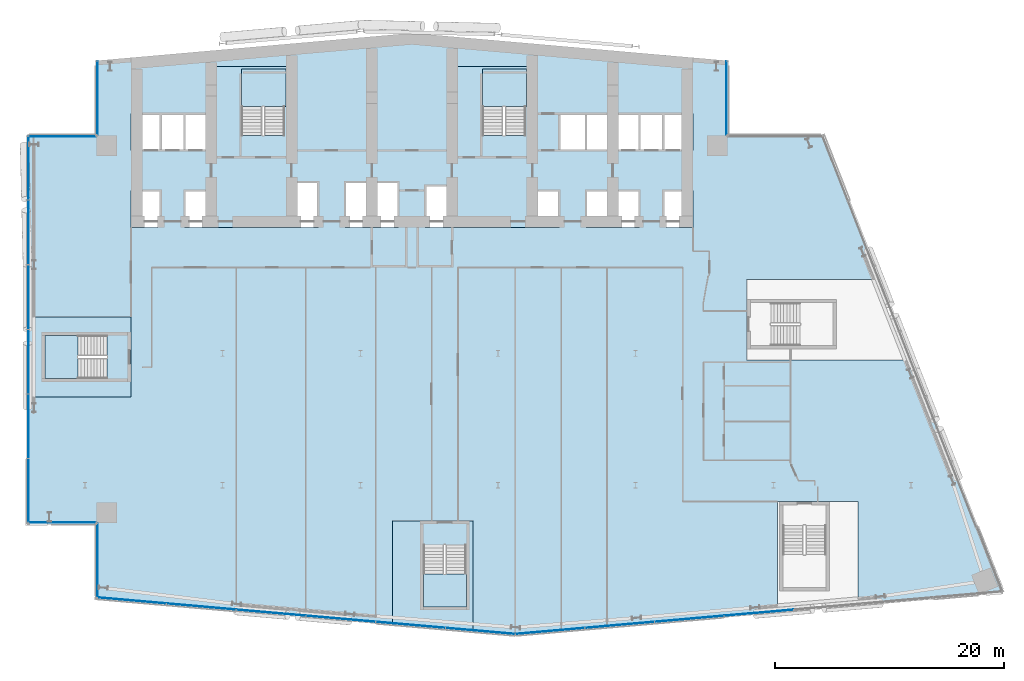
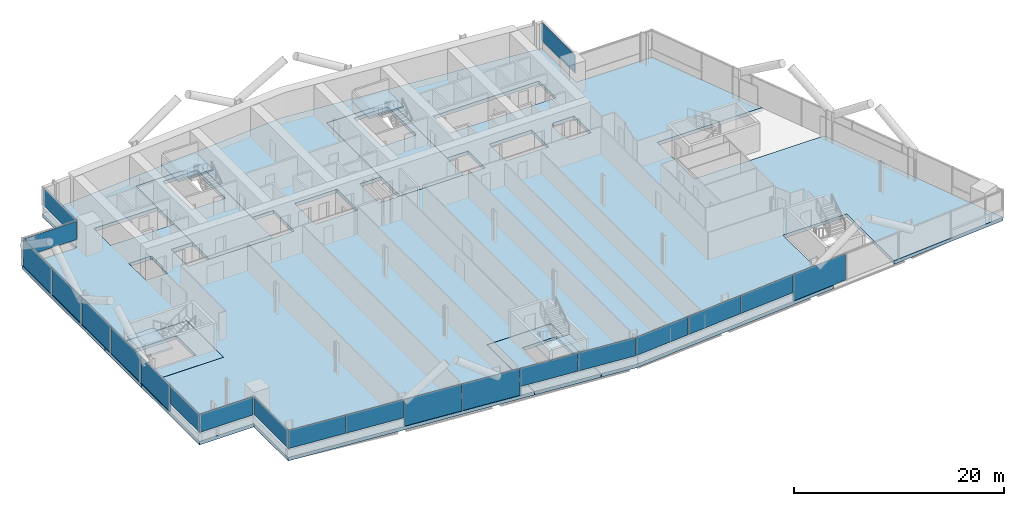
# One storey, part 12 of 25: 21 plates, 9 slabs, 12 elements without a shape of their own.
"""IFC4 building model written with IfcOpenShell, lengths in metres."""

from ifc_helpers import new_model, si_unit, direction, frame, origin, origin_2d, place, context, subcontext, project, spatial, polyline, rectangle, outline, extrude, material, layer, layer_set, type_object, element, aggregate, save


model = new_model("IFC4")

# Units and contexts
model_context = context("Model", 3, precision=1e-05, world=origin(), true_north=direction((0.0, 1.0)))
body_context = subcontext(model_context, "Body", "Model", "MODEL_VIEW")
ifc_project = project(units=[si_unit("LENGTHUNIT", "METRE"), si_unit("AREAUNIT", "SQUARE_METRE"), si_unit("VOLUMEUNIT", "CUBIC_METRE"), si_unit("PLANEANGLEUNIT", "RADIAN"), si_unit("MASSUNIT", "GRAM", prefix="KILO")], contexts=[model_context])

# Site, building, storey
site_placement = place(None, origin())
site = spatial("IfcSite", under=ifc_project, at=site_placement, CompositionType="ELEMENT")
building_placement = place(site_placement, origin())
building = spatial("IfcBuilding", under=site, at=building_placement, Name="Wharfspan Tower", CompositionType="ELEMENT")
storey_placement = place(building_placement, frame((0.0, 0.0, 121.899902)))
storey = spatial("IfcBuildingStorey", under=building, at=storey_placement, Name="L28", CompositionType="ELEMENT", Elevation=121.899902)

# Curtain wall, plates
ifc_material_1 = material(Name="Aluminium 6063-T6", Category="aluminium")
curtain_wall_type_1 = type_object("IfcCurtainWallType", Name="CURTAIN WALL FACETED FRONT", PredefinedType="NOTDEFINED", material=ifc_material_1)
curtain_wall_1_placement = place(storey_placement, origin())
curtain_wall_1 = element("IfcCurtainWall", 1, at=curtain_wall_1_placement, inside=storey, type_object=curtain_wall_type_1, Name="Curtain wall S1", PredefinedType="NOTDEFINED")
ifc_material_2 = material(Name="Glass clear low-iron double glazing", Category="glass")
ifc_layer_1 = layer(ifc_material_2, 0.040039)
ifc_layer_set_1 = layer_set([ifc_layer_1], Name="Glass clear low-iron double glazing")
plate_type_1 = type_object("IfcPlateType", Name="GLASS PANEL FACETED FRONT 40", PredefinedType="CURTAIN_PANEL", material=ifc_layer_set_1)
plate_1_placement = place(storey_placement, frame((16.061768, 1.467529, 1.0), z_axis=(0.0, 0.0, 1.0), x_axis=(0.996198, -0.087156, 0.0)))
plate_1 = element("IfcPlate", 2, at=plate_1_placement, type_object=plate_type_1, Name="Curtain wall S1 panel 1", PredefinedType="CURTAIN_PANEL", context=body_context, shape_type="SweptSolid", body=[
    extrude(rectangle(XDim=6.016602, YDim=0.040039, at=origin_2d()), origin(), (0.0, 0.0, 1.0), 2.120117),
])
plate_2_placement = place(storey_placement, frame((22.130127, 0.936523, 1.0), z_axis=(0.0, 0.0, 1.0), x_axis=(0.996198, -0.087156, 0.0)))
plate_2 = element("IfcPlate", 3, at=plate_2_placement, type_object=plate_type_1, Name="Curtain wall S1 panel 2", PredefinedType="CURTAIN_PANEL", context=body_context, shape_type="SweptSolid", body=[
    extrude(rectangle(XDim=6.046631, YDim=0.040039, at=origin_2d()), origin(), (0.0, 0.0, 1.0), 2.120117),
])
plate_3_placement = place(storey_placement, frame((40.380127, -0.660156, 1.0), z_axis=(0.0, 0.0, 1.0), x_axis=(0.996198, -0.087156, 0.0)))
plate_3 = element("IfcPlate", 4, at=plate_3_placement, type_object=plate_type_1, Name="Curtain wall S1 panel 5", PredefinedType="CURTAIN_PANEL", context=body_context, shape_type="SweptSolid", body=[
    extrude(rectangle(XDim=6.046631, YDim=0.040039, at=origin_2d()), origin(), (0.0, 0.0, 1.0), 2.120117),
])
plate_4_placement = place(storey_placement, frame((46.44873, -1.191162, 1.0), z_axis=(0.0, 0.0, 1.0), x_axis=(0.996198, -0.087156, 0.0)))
plate_4 = element("IfcPlate", 5, at=plate_4_placement, type_object=plate_type_1, Name="Curtain wall S1 panel 6", PredefinedType="CURTAIN_PANEL", context=body_context, shape_type="SweptSolid", body=[
    extrude(rectangle(XDim=6.016602, YDim=0.040039, at=origin_2d()), origin(), (0.0, 0.0, 1.0), 2.120117),
])

curtain_wall_2_placement = place(storey_placement, origin())
curtain_wall_2 = element("IfcCurtainWall", 6, at=curtain_wall_2_placement, inside=storey, type_object=curtain_wall_type_1, Name="Curtain wall S2", PredefinedType="NOTDEFINED")
plate_5_placement = place(storey_placement, frame((52.54541, -1.19165, 1.0), z_axis=(0.0, 0.0, 1.0), x_axis=(0.996198, 0.087156, 0.0)))
plate_5 = element("IfcPlate", 7, at=plate_5_placement, type_object=plate_type_1, Name="Curtain wall S2 panel 1", PredefinedType="CURTAIN_PANEL", context=body_context, shape_type="SweptSolid", body=[
    extrude(rectangle(XDim=6.004639, YDim=0.040039, at=origin_2d()), origin(), (0.0, 0.0, 1.0), 2.120117),
])
plate_6_placement = place(storey_placement, frame((58.601807, -0.661621, 1.0), z_axis=(0.0, 0.0, 1.0), x_axis=(0.996198, 0.087156, 0.0)))
plate_6 = element("IfcPlate", 8, at=plate_6_placement, type_object=plate_type_1, Name="Curtain wall S2 panel 2", PredefinedType="CURTAIN_PANEL", context=body_context, shape_type="SweptSolid", body=[
    extrude(rectangle(XDim=6.034668, YDim=0.040039, at=origin_2d()), origin(), (0.0, 0.0, 1.0), 2.120117),
])
plate_7_placement = place(storey_placement, frame((64.67334, -0.130615, 1.0), z_axis=(0.0, 0.0, 1.0), x_axis=(0.996198, 0.087156, 0.0)))
plate_7 = element("IfcPlate", 9, at=plate_7_placement, type_object=plate_type_1, Name="Curtain wall S2 panel 3", PredefinedType="CURTAIN_PANEL", context=body_context, shape_type="SweptSolid", body=[
    extrude(rectangle(XDim=6.034668, YDim=0.040039, at=origin_2d()), origin(), (0.0, 0.0, 1.0), 2.120117),
])

# Curtain wall, plate
curtain_wall_type_2 = type_object("IfcCurtainWallType", Name="CURTAIN WALL PROW AND END", PredefinedType="NOTDEFINED", material=ifc_material_1)
curtain_wall_3_placement = place(storey_placement, origin())
curtain_wall_3 = element("IfcCurtainWall", 10, at=curtain_wall_3_placement, inside=storey, type_object=curtain_wall_type_2, Name="Curtain wall NRE-V", PredefinedType="NOTDEFINED")
ifc_layer_2 = layer(ifc_material_2, 0.040039)
ifc_layer_set_2 = layer_set([ifc_layer_2], Name="Glass clear low-iron double glazing")
plate_type_2 = type_object("IfcPlateType", Name="GLASS PANEL PROW AND END 40", PredefinedType="CURTAIN_PANEL", material=ifc_layer_set_2)
plate_8_placement = place(storey_placement, frame((67.919922, 45.262451, 1.0), z_axis=(0.0, 0.0, 1.0), x_axis=(0.0, 1.0, 0.0)))
plate_8 = element("IfcPlate", 11, at=plate_8_placement, type_object=plate_type_2, Name="Curtain wall NRE-V panel 1", PredefinedType="CURTAIN_PANEL", context=body_context, shape_type="SweptSolid", body=[
    extrude(rectangle(XDim=6.405029, YDim=0.040039, at=origin_2d()), origin(), (0.0, 0.0, 1.0), 2.120117),
])
aggregate(curtain_wall_3, [plate_8])

curtain_wall_4_placement = place(storey_placement, origin())
curtain_wall_4 = element("IfcCurtainWall", 12, at=curtain_wall_4_placement, inside=storey, type_object=curtain_wall_type_2, Name="Curtain wall NRW-V", PredefinedType="NOTDEFINED")
plate_9_placement = place(storey_placement, frame((13.080078, 45.262451, 1.0), z_axis=(0.0, 0.0, 1.0), x_axis=(0.0, -1.0, 0.0)))
plate_9 = element("IfcPlate", 13, at=plate_9_placement, type_object=plate_type_2, Name="Curtain wall NRW-V panel 1", PredefinedType="CURTAIN_PANEL", context=body_context, shape_type="SweptSolid", body=[
    extrude(rectangle(XDim=6.405029, YDim=0.040039, at=origin_2d()), origin(), (0.0, 0.0, 1.0), 2.120117),
])
aggregate(curtain_wall_4, [plate_9])

curtain_wall_5_placement = place(storey_placement, origin())
curtain_wall_5 = element("IfcCurtainWall", 14, at=curtain_wall_5_placement, inside=storey, type_object=curtain_wall_type_2, Name="Curtain wall NRW-H", PredefinedType="NOTDEFINED")
plate_10_placement = place(storey_placement, frame((10.0, 41.919922, 1.0), z_axis=(0.0, 0.0, 1.0), x_axis=(-1.0, 0.0, 0.0)))
plate_10 = element("IfcPlate", 15, at=plate_10_placement, type_object=plate_type_2, Name="Curtain wall NRW-H panel 1", PredefinedType="CURTAIN_PANEL", context=body_context, shape_type="SweptSolid", body=[
    extrude(rectangle(XDim=5.879883, YDim=0.040039, at=origin_2d()), origin(), (0.0, 0.0, 1.0), 2.120117),
])
aggregate(curtain_wall_5, [plate_10])

curtain_wall_6_placement = place(storey_placement, origin())
curtain_wall_6 = element("IfcCurtainWall", 16, at=curtain_wall_6_placement, inside=storey, type_object=curtain_wall_type_2, Name="Curtain wall W", PredefinedType="NOTDEFINED")
plate_11_placement = place(storey_placement, frame((7.080078, 11.031738, 1.0), z_axis=(0.0, 0.0, 1.0), x_axis=(0.0, -1.0, 0.0)))
plate_11 = element("IfcPlate", 17, at=plate_11_placement, type_object=plate_type_2, Name="Curtain wall W panel 6", PredefinedType="CURTAIN_PANEL", context=body_context, shape_type="SweptSolid", body=[
    extrude(rectangle(XDim=5.543213, YDim=0.040039, at=origin_2d()), origin(), (0.0, 0.0, 1.0), 2.120117),
])

curtain_wall_7_placement = place(storey_placement, origin())
curtain_wall_7 = element("IfcCurtainWall", 18, at=curtain_wall_7_placement, inside=storey, type_object=curtain_wall_type_2, Name="Curtain wall NFW-H", PredefinedType="NOTDEFINED")
plate_12_placement = place(storey_placement, frame((10.0, 8.280029, 1.0), z_axis=(0.0, 0.0, 1.0), x_axis=(1.0, 0.0, 0.0)))
plate_12 = element("IfcPlate", 19, at=plate_12_placement, type_object=plate_type_2, Name="Curtain wall NFW-H panel 1", PredefinedType="CURTAIN_PANEL", context=body_context, shape_type="SweptSolid", body=[
    extrude(rectangle(XDim=5.879883, YDim=0.040039, at=origin_2d()), origin(), (0.0, 0.0, 1.0), 2.120117),
])
aggregate(curtain_wall_7, [plate_12])

curtain_wall_8_placement = place(storey_placement, origin())
curtain_wall_8 = element("IfcCurtainWall", 20, at=curtain_wall_8_placement, inside=storey, type_object=curtain_wall_type_2, Name="Curtain wall NFW-V", PredefinedType="NOTDEFINED")
plate_13_placement = place(storey_placement, frame((13.080078, 4.9375, 1.0), z_axis=(0.0, 0.0, 1.0), x_axis=(0.0, -1.0, 0.0)))
plate_13 = element("IfcPlate", 21, at=plate_13_placement, type_object=plate_type_2, Name="Curtain wall NFW-V panel 1", PredefinedType="CURTAIN_PANEL", context=body_context, shape_type="SweptSolid", body=[
    extrude(rectangle(XDim=6.405029, YDim=0.040039, at=origin_2d()), origin(), (0.0, 0.0, 1.0), 2.120117),
])
aggregate(curtain_wall_8, [plate_13])

# Plate
ifc_material_3 = material(Name="Aluminium composite opaque insulated panel", Category="aluminium")
ifc_layer_3 = layer(ifc_material_3, 0.040039)
ifc_layer_set_3 = layer_set([ifc_layer_3], Name="Aluminium composite opaque insulated panel")
plate_type_3 = type_object("IfcPlateType", Name="INFILL PANEL FACETED FRONT OPAQUE 40", PredefinedType="SHEET", material=ifc_layer_set_3)
plate_14_placement = place(storey_placement, frame((28.213623, 0.404297, 0.0), z_axis=(0.0, 0.0, 1.0), x_axis=(0.996198, -0.087156, 0.0)))
plate_14 = element("IfcPlate", 22, at=plate_14_placement, type_object=plate_type_3, Name="Curtain wall S1 panel 3", PredefinedType="SHEET", context=body_context, shape_type="SweptSolid", body=[
    extrude(rectangle(XDim=6.046631, YDim=0.040039, at=origin_2d()), origin(), (0.0, 0.0, 1.0), 3.120117),
])

plate_15_placement = place(storey_placement, frame((34.296875, -0.12793, 0.0), z_axis=(0.0, 0.0, 1.0), x_axis=(0.996198, -0.087156, 0.0)))
plate_15 = element("IfcPlate", 23, at=plate_15_placement, type_object=plate_type_3, Name="Curtain wall S1 panel 4", PredefinedType="SHEET", context=body_context, shape_type="SweptSolid", body=[
    extrude(rectangle(XDim=6.046631, YDim=0.040039, at=origin_2d()), origin(), (0.0, 0.0, 1.0), 3.120117),
])

aggregate(curtain_wall_1, [plate_1, plate_2, plate_14, plate_15, plate_3, plate_4])

plate_16_placement = place(storey_placement, frame((70.744873, 0.400635, 0.0), z_axis=(0.0, 0.0, 1.0), x_axis=(0.996198, 0.087156, 0.0)))
plate_16 = element("IfcPlate", 24, at=plate_16_placement, type_object=plate_type_3, Name="Curtain wall S2 panel 4", PredefinedType="SHEET", context=body_context, shape_type="SweptSolid", body=[
    extrude(rectangle(XDim=6.034668, YDim=0.040039, at=origin_2d()), origin(), (0.0, 0.0, 1.0), 3.120117),
])

aggregate(curtain_wall_2, [plate_5, plate_6, plate_7, plate_16])

ifc_layer_4 = layer(ifc_material_3, 0.040039)
ifc_layer_set_4 = layer_set([ifc_layer_4], Name="Aluminium composite opaque insulated panel")
plate_type_4 = type_object("IfcPlateType", Name="INFILL PANEL PROW AND END OPAQUE 40", PredefinedType="SHEET", material=ifc_layer_set_4)
plate_17_placement = place(storey_placement, frame((7.080078, 39.168213, 0.0), z_axis=(0.0, 0.0, 1.0), x_axis=(0.0, -1.0, 0.0)))
plate_17 = element("IfcPlate", 25, at=plate_17_placement, type_object=plate_type_4, Name="Curtain wall W panel 1", PredefinedType="SHEET", context=body_context, shape_type="SweptSolid", body=[
    extrude(rectangle(XDim=5.543213, YDim=0.040039, at=origin_2d()), origin(), (0.0, 0.0, 1.0), 3.120117),
])

plate_18_placement = place(storey_placement, frame((7.080078, 33.550049, 0.0), z_axis=(0.0, 0.0, 1.0), x_axis=(0.0, -1.0, 0.0)))
plate_18 = element("IfcPlate", 26, at=plate_18_placement, type_object=plate_type_4, Name="Curtain wall W panel 2", PredefinedType="SHEET", context=body_context, shape_type="SweptSolid", body=[
    extrude(rectangle(XDim=5.573242, YDim=0.040039, at=origin_2d()), origin(), (0.0, 0.0, 1.0), 3.120117),
])

plate_19_placement = place(storey_placement, frame((7.080078, 27.916748, 0.0), z_axis=(0.0, 0.0, 1.0), x_axis=(0.0, -1.0, 0.0)))
plate_19 = element("IfcPlate", 27, at=plate_19_placement, type_object=plate_type_4, Name="Curtain wall W panel 3", PredefinedType="SHEET", context=body_context, shape_type="SweptSolid", body=[
    extrude(rectangle(XDim=5.573242, YDim=0.040039, at=origin_2d()), origin(), (0.0, 0.0, 1.0), 3.120117),
])

plate_20_placement = place(storey_placement, frame((7.080078, 22.283447, 0.0), z_axis=(0.0, 0.0, 1.0), x_axis=(0.0, -1.0, 0.0)))
plate_20 = element("IfcPlate", 28, at=plate_20_placement, type_object=plate_type_4, Name="Curtain wall W panel 4", PredefinedType="SHEET", context=body_context, shape_type="SweptSolid", body=[
    extrude(rectangle(XDim=5.573242, YDim=0.040039, at=origin_2d()), origin(), (0.0, 0.0, 1.0), 3.120117),
])

plate_21_placement = place(storey_placement, frame((7.080078, 16.649902, 0.0), z_axis=(0.0, 0.0, 1.0), x_axis=(0.0, -1.0, 0.0)))
plate_21 = element("IfcPlate", 29, at=plate_21_placement, type_object=plate_type_4, Name="Curtain wall W panel 5", PredefinedType="SHEET", context=body_context, shape_type="SweptSolid", body=[
    extrude(rectangle(XDim=5.573242, YDim=0.040039, at=origin_2d()), origin(), (0.0, 0.0, 1.0), 3.120117),
])

aggregate(curtain_wall_6, [plate_17, plate_18, plate_19, plate_20, plate_21, plate_11])

# Slabs
ifc_material_4 = material(Name="Concrete C40/50", Category="concrete")
ifc_layer_5 = layer(ifc_material_4, 0.399902)
ifc_layer_set_5 = layer_set([ifc_layer_5], Name="Concrete C40/50")
slab_type_1 = type_object("IfcSlabType", Name="Post-tensioned flat slab 400", PredefinedType="FLOOR", material=ifc_layer_set_5)
slab_1_placement = place(storey_placement, frame((0.0, 0.0, -0.400146)))
element("IfcSlab", 30, at=slab_1_placement, inside=storey, type_object=slab_type_1, Name="Floor slab L28", PredefinedType="FLOOR", context=body_context, shape_type="SweptSolid", body=[
    extrude(outline(polyline([(38.800293, -0.582275), (38.800293, 8.427002), (45.820312, 8.427002), (45.820312, -1.196289), (49.5, -1.518311), (72.355957, 0.481445), (72.355957, 10.104736), (79.375977, 10.104736), (79.375977, 1.095459), (92.0, 2.199951), (84.04541, 22.439941), (69.68042, 22.439941), (69.68042, 29.459961), (81.286621, 29.459961), (76.358154, 42.0), (68.0, 42.0), (68.0, 48.524902), (40.5, 50.930908), (13.0, 48.524902), (13.0, 42.0), (7.0, 42.0), (7.0, 26.209961), (16.01001, 26.209961), (16.01001, 19.189941), (7.0, 19.189941), (7.0, 8.199951), (13.0, 8.199951), (13.0, 1.675049), (38.800293, -0.582275)]), holes=[polyline([(62.48999, 35.389893), (62.36499, 35.389893), (62.36499, 36.909912), (62.48999, 36.909912), (62.48999, 37.110107), (62.656738, 37.110107), (62.656738, 37.209961), (65.01001, 37.209961), (65.01001, 33.98999), (62.656738, 33.98999), (62.656738, 34.98999), (62.48999, 34.98999), (62.48999, 35.389893)]), polyline([(65.01001, 43.909912), (65.01001, 40.689941), (53.323242, 40.689941), (53.323242, 43.909912), (65.01001, 43.909912)]), polyline([(55.656738, 33.98999), (55.656738, 37.209961), (60.343262, 37.209961), (60.343262, 33.98999), (55.656738, 33.98999)]), polyline([(43.98999, 37.659912), (43.98999, 48.01001), (51.01001, 48.01001), (51.01001, 37.209961), (53.343262, 37.209961), (53.343262, 33.98999), (41.656738, 33.98999), (41.656738, 37.659912), (43.98999, 37.659912)]), polyline([(34.656738, 33.98999), (34.656738, 37.959961), (39.343262, 37.959961), (39.343262, 33.98999), (34.656738, 33.98999)]), polyline([(20.656738, 37.209961), (22.98999, 37.209961), (22.98999, 40.689941), (20.676758, 40.689941), (20.656738, 40.689941), (15.98999, 40.689941), (15.98999, 43.909912), (20.656738, 43.909912), (20.676758, 43.909912), (22.98999, 43.909912), (22.98999, 48.01001), (30.01001, 48.01001), (30.01001, 37.959961), (32.343262, 37.959961), (32.343262, 33.98999), (20.656738, 33.98999), (20.656738, 37.209961)]), polyline([(18.51001, 34.98999), (18.343262, 34.98999), (18.343262, 33.98999), (15.98999, 33.98999), (15.98999, 37.209961), (18.343262, 37.209961), (18.343262, 37.110107), (18.51001, 37.110107), (18.51001, 34.98999)])]), origin(), (0.0, 0.0, 1.0), 0.400146),
])
slab_2_placement = place(storey_placement, frame((0.0, 0.0, -0.400146)))
element("IfcSlab", 31, at=slab_2_placement, inside=storey, type_object=slab_type_1, Name="Core floor slab L28 part 1", PredefinedType="FLOOR", context=body_context, shape_type="SweptSolid", body=[
    extrude(outline(polyline([(16.0, 20.524902), (16.0, 24.875), (16.0, 26.199951), (7.0, 26.199951), (7.0, 19.199951), (16.0, 19.199951), (16.0, 20.524902)]), holes=[polyline([(13.9021, 20.824951), (13.9021, 20.824707), (13.9021, 20.824707), (13.901855, 20.824463), (13.901855, 20.824219), (13.901855, 20.824219), (13.901611, 20.823975), (13.901611, 20.82373), (13.901367, 20.823486), (13.901367, 20.823486), (13.901123, 20.823242), (13.900879, 20.823242), (13.900879, 20.823242), (13.900635, 20.822998), (13.900391, 20.822998), (13.900146, 20.822998), (13.899902, 20.822998), (8.5, 20.822998), (8.499756, 20.822998), (8.499512, 20.822998), (8.499512, 20.822998), (8.499268, 20.823242), (8.499023, 20.823242), (8.498779, 20.823242), (8.498779, 20.823486), (8.498535, 20.823486), (8.498535, 20.82373), (8.498291, 20.823975), (8.498291, 20.824219), (8.498291, 20.824219), (8.498047, 20.824463), (8.498047, 20.824707), (8.498047, 20.824707), (8.498047, 20.824951), (8.498047, 24.574951), (8.498047, 24.575195), (8.498047, 24.575439), (8.498047, 24.575684), (8.498291, 24.575684), (8.498291, 24.575928), (8.498291, 24.576172), (8.498535, 24.576416), (8.498535, 24.576416), (8.498779, 24.576416), (8.498779, 24.57666), (8.499023, 24.576904), (8.499268, 24.576904), (8.499512, 24.576904), (8.499512, 24.576904), (8.499756, 24.576904), (8.5, 24.576904), (13.899902, 24.576904), (13.900146, 24.576904), (13.900391, 24.576904), (13.900635, 24.576904), (13.900879, 24.576904), (13.900879, 24.576904), (13.901123, 24.57666), (13.901367, 24.576416), (13.901367, 24.576416), (13.901611, 24.576416), (13.901611, 24.576172), (13.901855, 24.575928), (13.901855, 24.575684), (13.901855, 24.575684), (13.9021, 24.575439), (13.9021, 24.575195), (13.9021, 24.574951), (13.9021, 20.824951)])]), origin(), (0.0, 0.0, 1.0), 0.400146),
])
slab_3_placement = place(storey_placement, frame((0.0, 0.0, -0.400146)))
element("IfcSlab", 32, at=slab_3_placement, inside=storey, type_object=slab_type_1, Name="Core floor slab L28 part 2", PredefinedType="FLOOR", context=body_context, shape_type="SweptSolid", body=[
    extrude(outline(polyline([(20.664795, 34.0), (20.664795, 37.199951), (20.664795, 37.200195), (20.664795, 37.200439), (20.664795, 37.200684), (20.664795, 37.200684), (20.664795, 37.200928), (20.665039, 37.201172), (20.665039, 37.201416), (20.665283, 37.201416), (20.665283, 37.201416), (20.665527, 37.20166), (20.665771, 37.201904), (20.666016, 37.201904), (20.666016, 37.201904), (20.66626, 37.201904), (20.666504, 37.201904), (20.666748, 37.201904), (23.0, 37.201904), (23.000244, 37.201904), (23.000488, 37.201904), (23.000488, 37.201904), (23.000732, 37.201904), (23.000977, 37.201904), (23.001221, 37.20166), (23.001221, 37.201416), (23.001465, 37.201416), (23.001465, 37.201416), (23.001709, 37.201172), (23.001709, 37.200928), (23.001709, 37.200684), (23.001953, 37.200684), (23.001953, 37.200439), (23.001953, 37.200195), (23.001953, 37.199951), (23.001953, 34.0), (29.998047, 34.0), (29.998047, 37.949951), (29.998047, 37.950195), (29.998047, 37.950439), (29.998047, 37.950684), (29.998291, 37.950684), (29.998291, 37.950928), (29.998291, 37.951172), (29.998535, 37.951416), (29.998535, 37.951416), (29.998779, 37.951416), (29.998779, 37.95166), (29.999023, 37.951904), (29.999268, 37.951904), (29.999512, 37.951904), (29.999512, 37.951904), (29.999756, 37.951904), (30.0, 37.951904), (32.333252, 37.951904), (32.333496, 37.951904), (32.33374, 37.951904), (32.333984, 37.951904), (32.333984, 37.951904), (32.334229, 37.951904), (32.334473, 37.95166), (32.334717, 37.951416), (32.334717, 37.951416), (32.334961, 37.951416), (32.334961, 37.951172), (32.335205, 37.950928), (32.335205, 37.950684), (32.335205, 37.950684), (32.335205, 37.950439), (32.335205, 37.950195), (32.335205, 37.949951), (32.335205, 34.0), (32.341309, 34.0), (32.341309, 37.958008), (30.01001, 37.958008), (30.009766, 37.958008), (30.009521, 37.958008), (30.009521, 37.958008), (30.009277, 37.958252), (30.009033, 37.958252), (30.008789, 37.958252), (30.008789, 37.958496), (30.008545, 37.958496), (30.008545, 37.95874), (30.008301, 37.958984), (30.008301, 37.958984), (30.008301, 37.959229), (30.008057, 37.959473), (30.008057, 37.959717), (30.008057, 37.959717), (30.008057, 37.959961), (30.008057, 48.008057), (22.991943, 48.008057), (22.991943, 43.909912), (22.991943, 43.909912), (22.991943, 43.909668), (22.991943, 43.909424), (22.991699, 43.90918), (22.991699, 43.90918), (22.991699, 43.908936), (22.991455, 43.908691), (22.991455, 43.908691), (22.991211, 43.908447), (22.991211, 43.908203), (22.990967, 43.908203), (22.990723, 43.908203), (22.990479, 43.908203), (22.990479, 43.907959), (22.990234, 43.907959), (22.98999, 43.907959), (16.0, 43.907959), (16.0, 43.9021), (20.666748, 43.9021), (20.666748, 43.9021), (23.0, 43.9021), (23.000244, 43.9021), (23.000488, 43.9021), (23.000488, 43.901855), (23.000732, 43.901855), (23.000977, 43.901855), (23.001221, 43.901611), (23.001221, 43.901611), (23.001465, 43.901367), (23.001465, 43.901367), (23.001709, 43.901123), (23.001709, 43.900879), (23.001709, 43.900879), (23.001953, 43.900635), (23.001953, 43.900391), (23.001953, 43.900146), (23.001953, 43.899902), (23.001953, 40.699951), (23.001953, 40.699707), (23.001953, 40.699707), (23.001953, 40.699463), (23.001709, 40.699219), (23.001709, 40.699219), (23.001709, 40.698975), (23.001465, 40.69873), (23.001465, 40.698486), (23.001221, 40.698486), (23.001221, 40.698242), (23.000977, 40.698242), (23.000732, 40.698242), (23.000488, 40.697998), (23.000488, 40.697998), (23.000244, 40.697998), (23.0, 40.697998), (20.666748, 40.697998), (20.666748, 40.697998), (16.0, 40.697998), (16.0, 40.691895), (22.98999, 40.691895), (22.990234, 40.691895), (22.990479, 40.691895), (22.990479, 40.691895), (22.990723, 40.691895), (22.990967, 40.691895), (22.991211, 40.69165), (22.991211, 40.691406), (22.991455, 40.691406), (22.991455, 40.691406), (22.991699, 40.691162), (22.991699, 40.690918), (22.991699, 40.690918), (22.991943, 40.690674), (22.991943, 40.69043), (22.991943, 40.690186), (22.991943, 40.689941), (22.991943, 37.209961), (22.991943, 37.209717), (22.991943, 37.209717), (22.991943, 37.209473), (22.991699, 37.209229), (22.991699, 37.208984), (22.991699, 37.208984), (22.991455, 37.20874), (22.991455, 37.208496), (22.991211, 37.208496), (22.991211, 37.208252), (22.990967, 37.208252), (22.990723, 37.208252), (22.990479, 37.208008), (22.990479, 37.208008), (22.990234, 37.208008), (22.98999, 37.208008), (20.658691, 37.208008), (20.658691, 34.0), (20.664795, 34.0)]), holes=[polyline([(25.649902, 41.998047), (25.649902, 41.998047), (25.649658, 41.998047), (25.649414, 41.998047), (25.64917, 41.998291), (25.64917, 41.998291), (25.648926, 41.998291), (25.648682, 41.998535), (25.648682, 41.998535), (25.648438, 41.998779), (25.648193, 41.998779), (25.648193, 41.999023), (25.648193, 41.999268), (25.648193, 41.999512), (25.647949, 41.999512), (25.647949, 41.999756), (25.647949, 42.0), (25.647949, 47.399902), (25.647949, 47.400146), (25.647949, 47.400391), (25.648193, 47.400635), (25.648193, 47.400879), (25.648193, 47.400879), (25.648193, 47.401123), (25.648438, 47.401367), (25.648682, 47.401367), (25.648682, 47.401611), (25.648926, 47.401611), (25.64917, 47.401855), (25.64917, 47.401855), (25.649414, 47.401855), (25.649658, 47.4021), (25.649902, 47.4021), (25.649902, 47.4021), (29.399902, 47.4021), (29.400146, 47.4021), (29.400391, 47.4021), (29.400635, 47.401855), (29.400879, 47.401855), (29.400879, 47.401855), (29.401123, 47.401611), (29.401367, 47.401611), (29.401367, 47.401367), (29.401611, 47.401367), (29.401611, 47.401123), (29.401855, 47.400879), (29.401855, 47.400879), (29.401855, 47.400635), (29.4021, 47.400391), (29.4021, 47.400146), (29.4021, 47.399902), (29.4021, 42.0), (29.4021, 41.999756), (29.4021, 41.999512), (29.401855, 41.999512), (29.401855, 41.999268), (29.401855, 41.999023), (29.401611, 41.998779), (29.401611, 41.998779), (29.401367, 41.998535), (29.401367, 41.998535), (29.401123, 41.998291), (29.400879, 41.998291), (29.400879, 41.998291), (29.400635, 41.998047), (29.400391, 41.998047), (29.400146, 41.998047), (29.399902, 41.998047), (25.649902, 41.998047)])]), origin(), (0.0, 0.0, 1.0), 0.400146),
])
slab_4_placement = place(storey_placement, frame((0.0, 0.0, -0.400146)))
element("IfcSlab", 33, at=slab_4_placement, inside=storey, type_object=slab_type_1, Name="Core floor slab L28 part 3", PredefinedType="FLOOR", context=body_context, shape_type="SweptSolid", body=[
    extrude(outline(polyline([(45.5354, 8.416992), (41.185303, 8.416992), (38.810303, 8.416992), (38.810303, -0.583008), (45.810303, -1.195557), (45.810303, 8.416992), (45.5354, 8.416992)]), holes=[polyline([(41.483398, 6.316895), (41.483398, 6.317139), (41.483398, 6.317383), (41.483398, 6.317383), (41.483398, 6.317627), (41.483398, 6.317871), (41.483643, 6.318115), (41.483643, 6.318115), (41.483887, 6.318359), (41.483887, 6.318604), (41.484131, 6.318604), (41.484375, 6.318604), (41.484619, 6.318848), (41.484619, 6.318848), (41.484863, 6.318848), (41.485107, 6.319092), (41.485352, 6.319092), (45.235352, 6.319092), (45.235596, 6.319092), (45.235596, 6.318848), (45.23584, 6.318848), (45.236084, 6.318848), (45.236084, 6.318604), (45.236328, 6.318604), (45.236572, 6.318604), (45.236816, 6.318359), (45.236816, 6.318115), (45.236816, 6.318115), (45.237061, 6.317871), (45.237061, 6.317627), (45.237305, 6.317383), (45.237305, 6.317383), (45.237305, 6.317139), (45.237305, 6.316895), (45.237305, 0.916992), (45.237305, 0.916748), (45.237305, 0.916504), (45.237305, 0.916504), (45.237061, 0.91626), (45.237061, 0.916016), (45.236816, 0.916016), (45.236816, 0.915771), (45.236816, 0.915527), (45.236572, 0.915283), (45.236328, 0.915283), (45.236084, 0.915283), (45.236084, 0.915039), (45.23584, 0.915039), (45.235596, 0.915039), (45.235596, 0.915039), (45.235352, 0.915039), (41.485352, 0.915039), (41.485107, 0.915039), (41.484863, 0.915039), (41.484619, 0.915039), (41.484619, 0.915039), (41.484375, 0.915283), (41.484131, 0.915283), (41.483887, 0.915283), (41.483887, 0.915527), (41.483643, 0.915771), (41.483643, 0.916016), (41.483398, 0.916016), (41.483398, 0.91626), (41.483398, 0.916504), (41.483398, 0.916504), (41.483398, 0.916748), (41.483398, 0.916992), (41.483398, 6.316895)])]), origin(), (0.0, 0.0, 1.0), 0.400146),
])
slab_5_placement = place(storey_placement, frame((0.0, 0.0, -0.400146)))
element("IfcSlab", 34, at=slab_5_placement, inside=storey, type_object=slab_type_1, Name="Core floor slab L28 part 4", PredefinedType="FLOOR", context=body_context, shape_type="SweptSolid", body=[
    extrude(outline(polyline([(53.341309, 34.0), (53.341309, 37.208008), (51.01001, 37.208008), (51.009766, 37.208008), (51.009521, 37.208008), (51.009521, 37.208008), (51.009277, 37.208252), (51.009033, 37.208252), (51.008789, 37.208252), (51.008789, 37.208496), (51.008545, 37.208496), (51.008545, 37.20874), (51.008301, 37.208984), (51.008301, 37.208984), (51.008301, 37.209229), (51.008057, 37.209473), (51.008057, 37.209717), (51.008057, 37.209717), (51.008057, 37.209961), (51.008057, 48.008057), (43.991943, 48.008057), (43.991943, 37.659912), (43.991943, 37.659912), (43.991943, 37.659668), (43.991943, 37.659424), (43.991699, 37.65918), (43.991699, 37.65918), (43.991699, 37.658936), (43.991455, 37.658691), (43.991455, 37.658691), (43.991211, 37.658447), (43.991211, 37.658203), (43.990967, 37.658203), (43.990723, 37.658203), (43.990479, 37.658203), (43.990479, 37.657959), (43.990234, 37.657959), (43.98999, 37.657959), (41.658691, 37.657959), (41.658691, 34.0), (41.664795, 34.0), (41.664795, 37.649902), (41.664795, 37.650146), (41.664795, 37.650391), (41.664795, 37.650635), (41.664795, 37.650879), (41.664795, 37.650879), (41.665039, 37.651123), (41.665039, 37.651367), (41.665283, 37.651367), (41.665283, 37.651611), (41.665527, 37.651611), (41.665771, 37.651855), (41.666016, 37.651855), (41.666016, 37.651855), (41.66626, 37.6521), (41.666504, 37.6521), (41.666748, 37.6521), (44.0, 37.6521), (44.000244, 37.6521), (44.000488, 37.6521), (44.000488, 37.651855), (44.000732, 37.651855), (44.000977, 37.651855), (44.001221, 37.651611), (44.001221, 37.651611), (44.001465, 37.651367), (44.001465, 37.651367), (44.001709, 37.651123), (44.001709, 37.650879), (44.001709, 37.650879), (44.001953, 37.650635), (44.001953, 37.650391), (44.001953, 37.650146), (44.001953, 37.649902), (44.001953, 34.0), (50.998047, 34.0), (50.998047, 37.199951), (50.998047, 37.200195), (50.998047, 37.200439), (50.998047, 37.200684), (50.998291, 37.200684), (50.998291, 37.200928), (50.998291, 37.201172), (50.998535, 37.201416), (50.998535, 37.201416), (50.998779, 37.201416), (50.998779, 37.20166), (50.999023, 37.201904), (50.999268, 37.201904), (50.999512, 37.201904), (50.999512, 37.201904), (50.999756, 37.201904), (51.0, 37.201904), (53.333252, 37.201904), (53.333496, 37.201904), (53.33374, 37.201904), (53.333984, 37.201904), (53.333984, 37.201904), (53.334229, 37.201904), (53.334473, 37.20166), (53.334717, 37.201416), (53.334717, 37.201416), (53.334961, 37.201416), (53.334961, 37.201172), (53.335205, 37.200928), (53.335205, 37.200684), (53.335205, 37.200684), (53.335205, 37.200439), (53.335205, 37.200195), (53.335205, 37.199951), (53.335205, 34.0), (53.341309, 34.0)]), holes=[polyline([(50.4021, 42.0), (50.4021, 41.999756), (50.4021, 41.999512), (50.401855, 41.999512), (50.401855, 41.999268), (50.401855, 41.999023), (50.401611, 41.998779), (50.401611, 41.998779), (50.401367, 41.998535), (50.401367, 41.998535), (50.401123, 41.998291), (50.400879, 41.998291), (50.400879, 41.998291), (50.400635, 41.998047), (50.400391, 41.998047), (50.400146, 41.998047), (50.399902, 41.998047), (46.649902, 41.998047), (46.649902, 41.998047), (46.649658, 41.998047), (46.649414, 41.998047), (46.64917, 41.998291), (46.64917, 41.998291), (46.648926, 41.998291), (46.648682, 41.998535), (46.648682, 41.998535), (46.648438, 41.998779), (46.648193, 41.998779), (46.648193, 41.999023), (46.648193, 41.999268), (46.648193, 41.999512), (46.647949, 41.999512), (46.647949, 41.999756), (46.647949, 42.0), (46.647949, 47.399902), (46.647949, 47.400146), (46.647949, 47.400391), (46.648193, 47.400635), (46.648193, 47.400879), (46.648193, 47.400879), (46.648193, 47.401123), (46.648438, 47.401367), (46.648682, 47.401367), (46.648682, 47.401611), (46.648926, 47.401611), (46.64917, 47.401855), (46.64917, 47.401855), (46.649414, 47.401855), (46.649658, 47.4021), (46.649902, 47.4021), (46.649902, 47.4021), (50.399902, 47.4021), (50.400146, 47.4021), (50.400391, 47.4021), (50.400635, 47.401855), (50.400879, 47.401855), (50.400879, 47.401855), (50.401123, 47.401611), (50.401367, 47.401611), (50.401367, 47.401367), (50.401611, 47.401367), (50.401611, 47.401123), (50.401855, 47.400879), (50.401855, 47.400879), (50.401855, 47.400635), (50.4021, 47.400391), (50.4021, 47.400146), (50.4021, 47.399902), (50.4021, 42.0)])]), origin(), (0.0, 0.0, 1.0), 0.400146),
])

# Stair, slab
stair_type = type_object("IfcStairType", Name="Half-turn stair 20 risers 180 mm", PredefinedType="HALF_TURN_STAIR", material=ifc_material_4)
stair_1_placement = place(storey_placement, origin())
stair_1 = element("IfcStair", 35, at=stair_1_placement, inside=storey, type_object=stair_type, Name="L28 stair ST1", PredefinedType="HALF_TURN_STAIR")
ifc_layer_6 = layer(ifc_material_4, 0.199951)
ifc_layer_set_6 = layer_set([ifc_layer_6], Name="Concrete C40/50")
slab_type_2 = type_object("IfcSlabType", Name="Stair landing 200", PredefinedType="LANDING", material=ifc_layer_set_6)
slab_6_placement = place(storey_placement, frame((0.0, 0.0, 1.599854)))
slab_6 = element("IfcSlab", 36, at=slab_6_placement, type_object=slab_type_2, Name="ST1 landing 1", PredefinedType="LANDING", context=body_context, shape_type="SweptSolid", body=[
    extrude(outline(polyline([(25.649902, 44.52002), (29.5, 44.52002), (29.5, 47.783691), (25.649902, 47.783691), (25.649902, 44.52002)])), origin(), (0.0, 0.0, 1.0), 0.200195),
])
aggregate(stair_1, [slab_6])

stair_2_placement = place(storey_placement, origin())
stair_2 = element("IfcStair", 37, at=stair_2_placement, inside=storey, type_object=stair_type, Name="L28 stair ST2", PredefinedType="HALF_TURN_STAIR")
slab_7_placement = place(storey_placement, frame((0.0, 0.0, 1.599854)))
slab_7 = element("IfcSlab", 38, at=slab_7_placement, type_object=slab_type_2, Name="ST2 landing 1", PredefinedType="LANDING", context=body_context, shape_type="SweptSolid", body=[
    extrude(outline(polyline([(46.649902, 44.52002), (50.5, 44.52002), (50.5, 47.783691), (46.649902, 47.783691), (46.649902, 44.52002)])), origin(), (0.0, 0.0, 1.0), 0.200195),
])
aggregate(stair_2, [slab_7])

stair_3_placement = place(storey_placement, origin())
stair_3 = element("IfcStair", 39, at=stair_3_placement, inside=storey, type_object=stair_type, Name="L28 stair ST3", PredefinedType="HALF_TURN_STAIR")
slab_8_placement = place(storey_placement, frame((0.0, 0.0, 1.599854)))
slab_8 = element("IfcSlab", 40, at=slab_8_placement, type_object=slab_type_2, Name="ST3 landing 1", PredefinedType="LANDING", context=body_context, shape_type="SweptSolid", body=[
    extrude(outline(polyline([(11.379883, 24.574951), (8.5, 24.574951), (8.5, 20.824951), (11.379883, 20.824951), (11.379883, 24.574951)])), origin(), (0.0, 0.0, 1.0), 0.200195),
])
aggregate(stair_3, [slab_8])

stair_4_placement = place(storey_placement, origin())
stair_4 = element("IfcStair", 41, at=stair_4_placement, inside=storey, type_object=stair_type, Name="L28 stair ST4", PredefinedType="HALF_TURN_STAIR")
slab_9_placement = place(storey_placement, frame((0.0, 0.0, 1.599854)))
slab_9 = element("IfcSlab", 42, at=slab_9_placement, type_object=slab_type_2, Name="ST4 landing 1", PredefinedType="LANDING", context=body_context, shape_type="SweptSolid", body=[
    extrude(outline(polyline([(41.485352, 3.796875), (41.485352, 0.916992), (45.235352, 0.916992), (45.235352, 3.796875), (41.485352, 3.796875)])), origin(), (0.0, 0.0, 1.0), 0.200195),
])
aggregate(stair_4, [slab_9])

save(model, "model.ifc")
